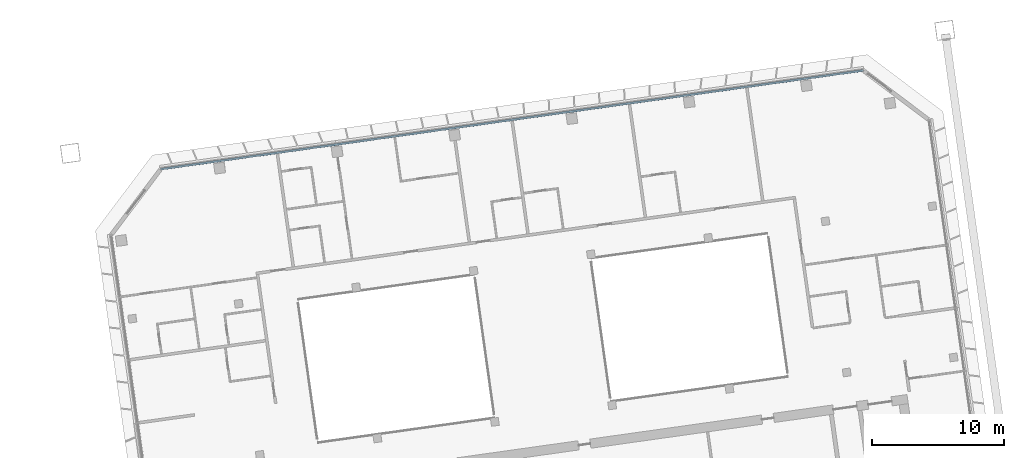
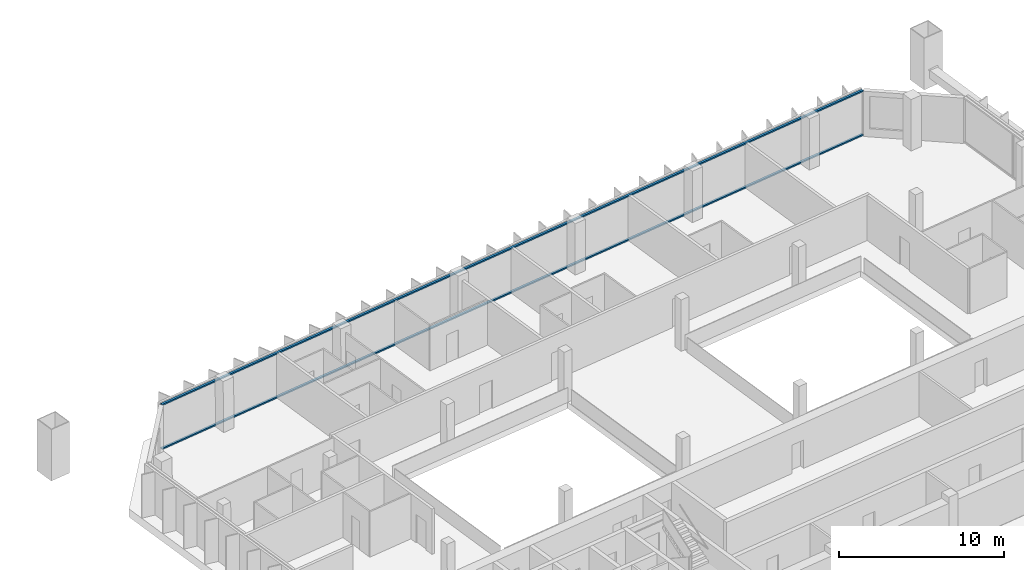
# One storey, part 14 of 31: 2 members, 1 element without a shape of its own.
"""IFC4 building model written with IfcOpenShell, lengths in metres."""

from ifc_helpers import new_model, si_unit, direction, frame, origin, origin_2d, place, context, subcontext, project, spatial, rectangle, extrude, material, material_profile, profile_set, type_object, element, aggregate, save


model = new_model("IFC4")

# Units and contexts
model_context = context("Model", 3, precision=1e-05, world=origin(), true_north=direction((0.0, 1.0)))
body_context = subcontext(model_context, "Body", "Model", "MODEL_VIEW")
ifc_project = project(units=[si_unit("LENGTHUNIT", "METRE"), si_unit("AREAUNIT", "SQUARE_METRE"), si_unit("VOLUMEUNIT", "CUBIC_METRE"), si_unit("PLANEANGLEUNIT", "RADIAN"), si_unit("MASSUNIT", "GRAM", prefix="KILO")], contexts=[model_context])

# Site, building, storey
site_placement = place(None, origin())
site = spatial("IfcSite", under=ifc_project, at=site_placement, CompositionType="ELEMENT")
building_placement = place(site_placement, origin())
building = spatial("IfcBuilding", under=site, at=building_placement, Name="Mirante Cascada Hotel Towers", CompositionType="ELEMENT")
storey_placement = place(building_placement, frame((0.0, 0.0, 157.4)))
storey = spatial("IfcBuildingStorey", under=building, at=storey_placement, Name="L36", CompositionType="ELEMENT", Elevation=157.4)

# Curtain wall, members
ifc_material_1 = material(Name="Aluminium mullion and transom frame with clear laminated glass", Category="aluminium")
curtain_wall_type = type_object("IfcCurtainWallType", Name="Ribbon curtain wall ECW1", PredefinedType="NOTDEFINED", material=ifc_material_1)
curtain_wall_placement = place(storey_placement, origin())
curtain_wall = element("IfcCurtainWall", 1, at=curtain_wall_placement, inside=storey, type_object=curtain_wall_type, Name="Front ribbon wall T2 L36", PredefinedType="NOTDEFINED")
ifc_material_2 = material(Name="Anodised aluminium extrusion", Category="aluminium")
ifc_material_profile = material_profile(ifc_material_2, rectangle(XDim=0.16, YDim=0.1, at=origin_2d()), Name="ECW1 TRANSOM 100x160")
ifc_profile_set = profile_set([ifc_material_profile], Name="Anodised aluminium extrusion")
member_type = type_object("IfcMemberType", Name="ECW1 transom 100x160", PredefinedType="USERDEFINED", material=ifc_profile_set)
member_1_placement = place(storey_placement, frame((85.2457, 24.7995, 0.05), z_axis=(-0.9902681, -0.1391726, 0.0), x_axis=(0.1391726, -0.9902681, 0.0)))
member_1 = element("IfcMember", 2, at=member_1_placement, type_object=member_type, Name="ECW1 sill transom", ObjectType="TRANSOM", PredefinedType="USERDEFINED", context=body_context, shape_type="SweptSolid", body=[
    extrude(rectangle(XDim=0.16, YDim=0.1, at=origin_2d()), origin(), (0.0, 0.0, 1.0), 53.9115),
])
member_2_placement = place(storey_placement, frame((85.2457, 24.7995, 3.3), z_axis=(-0.9902681, -0.1391726, 0.0), x_axis=(0.1391726, -0.9902681, 0.0)))
member_2 = element("IfcMember", 3, at=member_2_placement, type_object=member_type, Name="ECW1 head transom", ObjectType="TRANSOM", PredefinedType="USERDEFINED", context=body_context, shape_type="SweptSolid", body=[
    extrude(rectangle(XDim=0.16, YDim=0.1, at=origin_2d()), origin(), (0.0, 0.0, 1.0), 53.9115),
])
aggregate(curtain_wall, [member_1, member_2])

save(model, "model.ifc")
